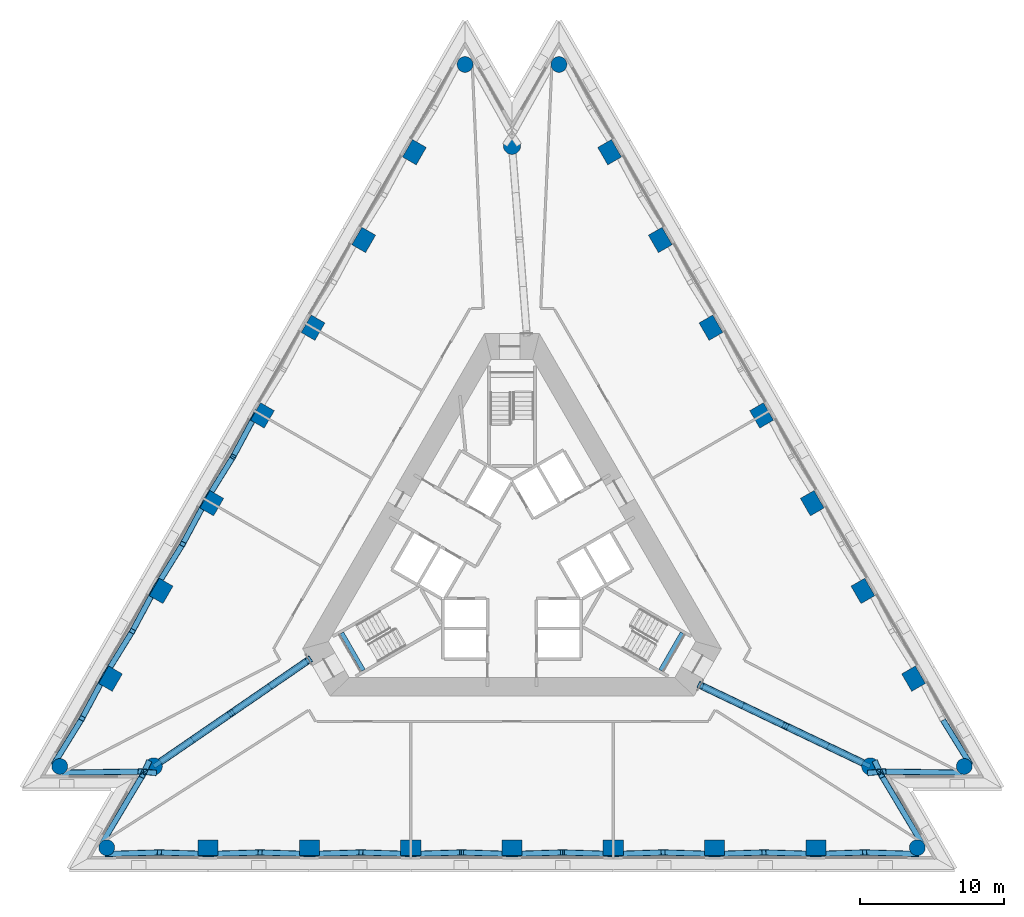
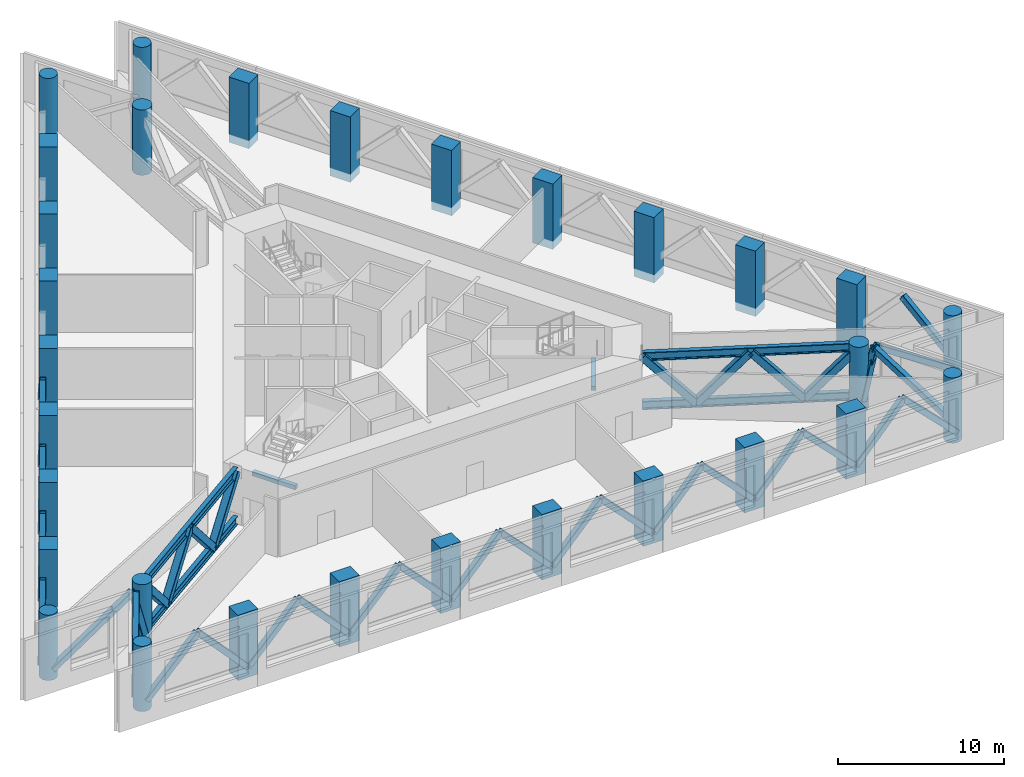
# One storey, part 1 of 12: 45 members, 30 columns, 2 beams.
"""IFC4 building model written with IfcOpenShell, lengths in metres."""

from ifc_helpers import new_model, si_unit, direction, frame, origin, origin_2d, place, context, subcontext, project, spatial, rectangle, hollow_rectangle, circle, i_section, extrude, material, material_profile, profile_set, type_object, element, save


model = new_model("IFC4")

# Units and contexts
model_context = context("Model", 3, precision=1e-05, world=origin(), true_north=direction((0.0, 1.0)))
body_context = subcontext(model_context, "Body", "Model", "MODEL_VIEW")
ifc_project = project(units=[si_unit("LENGTHUNIT", "METRE"), si_unit("AREAUNIT", "SQUARE_METRE"), si_unit("VOLUMEUNIT", "CUBIC_METRE"), si_unit("PLANEANGLEUNIT", "RADIAN"), si_unit("MASSUNIT", "GRAM", prefix="KILO")], contexts=[model_context])

# Site, building, storey
site_placement = place(None, origin())
site = spatial("IfcSite", under=ifc_project, at=site_placement, CompositionType="ELEMENT")
building_placement = place(site_placement, origin())
building = spatial("IfcBuilding", under=site, at=building_placement, Name="Triada Interchange Tower", CompositionType="ELEMENT")
storey_placement = place(building_placement, frame((0.0, 0.0, 99.800048828125)))
storey = spatial("IfcBuildingStorey", under=building, at=storey_placement, Name="L22", CompositionType="ELEMENT", Elevation=99.800048828125)

# Columns
ifc_material_1 = material(Name="Concrete C70/85", Category="concrete")
ifc_material_profile_1 = material_profile(ifc_material_1, rectangle(XDim=1.39990234375, YDim=1.10009765625, at=origin_2d()), Name="RC 1400x1100")
ifc_profile_set_1 = profile_set([ifc_material_profile_1], Name="Concrete C70/85")
column_type_1 = type_object("IfcColumnType", Name="Column A face RC 1400x1100", PredefinedType="COLUMN", material=ifc_profile_set_1)
for number, where, z_axis, x_axis, name in (
    (1, (-6.781982421875, 28.305908203125, -0.60009765625), (0.0, 0.0, 1.0), (0.5, 0.866025403784, 0.0), "Column CA02 L22"),
    (2, (-10.302978515625, 22.208984375, -0.60009765625), (0.0, 0.0, 1.0), (0.5, 0.866025403784, 0.0), "Column CA03 L22"),
    (3, (-13.822998046875, 16.111083984375, -0.60009765625), (0.0, 0.0, 1.0), (0.5, 0.866025403784, 0.0), "Column CA04 L22"),
    (4, (-17.343994140625, 10.013916015625, -0.60009765625), (0.0, 0.0, 1.0), (0.5, 0.866025403784, 0.0), "Column CA05 L22"),
    (5, (-20.864013671875, 3.916015625, -0.60009765625), (0.0, 0.0, 1.0), (0.5, 0.866025403784, 0.0), "Column CA06 L22"),
    (6, (-24.384033203125, -2.181884765625, -0.60009765625), (0.0, 0.0, 1.0), (0.5, 0.866025403784, 0.0), "Column CA07 L22"),
    (7, (-27.905029296875, -8.279052734375, -0.60009765625), (0.0, 0.0, 1.0), (0.5, 0.866025403784, 0.0), "Column CA08 L22"),
    (8, (-21.1220703125, -20.027099609375, -0.60009765625), (0.0, 0.0, 1.0), (1.0, 0.0, 0.0), "Column CA11 L22"),
    (9, (-14.08203125, -20.027099609375, -0.60009765625), (0.0, 0.0, 1.0), (1.0, 0.0, 0.0), "Column CA12 L22"),
    (10, (-7.041015625, -20.027099609375, -0.60009765625), (0.0, 0.0, 1.0), (1.0, 0.0, 0.0), "Column CA13 L22"),
    (11, (0.0, -20.027099609375, -0.60009765625), (0.0, 0.0, 1.0), (1.0, 0.0, 0.0), "Column CA14 L22"),
    (12, (7.041015625, -20.027099609375, -0.60009765625), (0.0, 0.0, 1.0), (1.0, 0.0, 0.0), "Column CA15 L22"),
    (13, (14.08203125, -20.027099609375, -0.60009765625), (0.0, 0.0, 1.0), (1.0, 0.0, 0.0), "Column CA16 L22"),
    (14, (21.1220703125, -20.027099609375, -0.60009765625), (0.0, 0.0, 1.0), (1.0, 0.0, 0.0), "Column CA17 L22"),
    (15, (27.905029296875, -8.279052734375, -0.60009765625), (0.0, 0.0, 1.0), (-0.5, 0.866025403784, 0.0), "Column CA20 L22"),
    (16, (24.384033203125, -2.181884765625, -0.60009765625), (0.0, 0.0, 1.0), (-0.5, 0.866025403784, 0.0), "Column CA21 L22"),
    (17, (20.864013671875, 3.916015625, -0.60009765625), (0.0, 0.0, 1.0), (-0.5, 0.866025403784, 0.0), "Column CA22 L22"),
    (18, (17.343994140625, 10.013916015625, -0.60009765625), (0.0, 0.0, 1.0), (-0.5, 0.866025403784, 0.0), "Column CA23 L22"),
    (19, (13.822998046875, 16.111083984375, -0.60009765625), (0.0, 0.0, 1.0), (-0.5, 0.866025403784, 0.0), "Column CA24 L22"),
    (20, (10.302978515625, 22.208984375, -0.60009765625), (0.0, 0.0, 1.0), (-0.5, 0.866025403784, 0.0), "Column CA25 L22"),
    (21, (6.781982421875, 28.305908203125, -0.60009765625), (0.0, 0.0, 1.0), (-0.5, 0.866025403784, 0.0), "Column CA26 L22"),
):
    element("IfcColumn", number, at=place(storey_placement, frame(where, z_axis=z_axis, x_axis=x_axis)), inside=storey, type_object=column_type_1, Name=name, PredefinedType="COLUMN", context=body_context, shape_type="SweptSolid", body=[
        extrude(rectangle(XDim=1.39990234375, YDim=1.10009765625, at=origin_2d()), origin(), (0.0, 0.0, 1.0), 4.800048828125),
    ])
ifc_material_profile_2 = material_profile(ifc_material_1, circle(Radius=0.550048828125, at=origin_2d()), Name="RC D1100")
ifc_profile_set_2 = profile_set([ifc_material_profile_2], Name="Concrete C70/85")
column_type_2 = type_object("IfcColumnType", Name="End column A RC D1100", PredefinedType="COLUMN", material=ifc_profile_set_2)
for number, where, z_axis, x_axis, name in (
    (22, (-3.261962890625, 34.404052734375, -0.60009765625), (0.0, 0.0, 1.0), (0.5, 0.866025403784, 0.0), "Column CA01 L22"),
    (23, (-31.425048828125, -14.376953125, -0.60009765625), (0.0, 0.0, 1.0), (0.5, 0.866025403784, 0.0), "Column CA09 L22"),
    (24, (-28.1630859375, -20.027099609375, -0.60009765625), (0.0, 0.0, 1.0), (1.0, 0.0, 0.0), "Column CA10 L22"),
    (25, (28.1630859375, -20.027099609375, -0.60009765625), (0.0, 0.0, 1.0), (1.0, 0.0, 0.0), "Column CA18 L22"),
    (26, (31.425048828125, -14.376953125, -0.60009765625), (0.0, 0.0, 1.0), (-0.5, 0.866025403784, 0.0), "Column CA19 L22"),
    (27, (3.261962890625, 34.404052734375, -0.60009765625), (0.0, 0.0, 1.0), (-0.5, 0.866025403784, 0.0), "Column CA27 L22"),
):
    element("IfcColumn", number, at=place(storey_placement, frame(where, z_axis=z_axis, x_axis=x_axis)), inside=storey, type_object=column_type_2, Name=name, PredefinedType="COLUMN", context=body_context, shape_type="SweptSolid", body=[
        extrude(circle(Radius=0.550048828125, at=origin_2d()), origin(), (0.0, 0.0, 1.0), 4.800048828125),
    ])
ifc_material_profile_3 = material_profile(ifc_material_1, circle(Radius=0.60009765625, at=origin_2d()), Name="RC D1200")
ifc_profile_set_3 = profile_set([ifc_material_profile_3], Name="Concrete C70/85")
column_type_3 = type_object("IfcColumnType", Name="Mega column A RC D1200", PredefinedType="COLUMN", material=ifc_profile_set_3)
for number, where, z_axis, x_axis, name in (
    (28, (0.0, 28.7529296875, -0.60009765625), (0.0, 0.0, 1.0), (1.0, 0.0, 0.0), "Column MA1 L22"),
    (29, (-24.90087890625, -14.376953125, -0.60009765625), (0.0, 0.0, 1.0), (1.0, 0.0, 0.0), "Column MA2 L22"),
    (30, (24.90087890625, -14.376953125, -0.60009765625), (0.0, 0.0, 1.0), (1.0, 0.0, 0.0), "Column MA3 L22"),
):
    element("IfcColumn", number, at=place(storey_placement, frame(where, z_axis=z_axis, x_axis=x_axis)), inside=storey, type_object=column_type_3, Name=name, PredefinedType="COLUMN", context=body_context, shape_type="SweptSolid", body=[
        extrude(circle(Radius=0.60009765625, at=origin_2d()), origin(), (0.0, 0.0, 1.0), 4.800048828125),
    ])

# Members
ifc_material_2 = material(Name="Steel S355", Category="steel")
ifc_material_profile_4 = material_profile(ifc_material_2, hollow_rectangle(XDim=0.39990234375, YDim=0.39990234375, WallThickness=0.02001953125, InnerFilletRadius=0.02001953125, OuterFilletRadius=0.030029296875, at=origin_2d()), Name="RHS 400x400x20")
ifc_profile_set_4 = profile_set([ifc_material_profile_4], Name="Steel S355")
member_type_1 = type_object("IfcMemberType", Name="Belt truss diagonal RHS 400x400x20", PredefinedType="BRACE", material=ifc_profile_set_4)
member_1_placement = place(storey_placement, frame((-17.72509765625, 10.23388671875, 0.14990234375), z_axis=(-0.327075106407, -0.610334308916, 0.721466496886), x_axis=(0.881413657606, -0.47234517483, 0.0)))
element("IfcMember", 31, at=member_1_placement, inside=storey, type_object=member_type_1, Name="Belt truss diagonal 009 L22", PredefinedType="BRACE", context=body_context, shape_type="SweptSolid", body=[
    extrude(hollow_rectangle(XDim=0.39990234375, YDim=0.39990234375, WallThickness=0.02001953125, InnerFilletRadius=0.02001953125, OuterFilletRadius=0.030029296875, at=origin_2d()), origin(), (0.0, 0.0, 1.0), 5.059326171875),
])
member_2_placement = place(storey_placement, frame((-21.2451171875, 4.135986328125, 0.14990234375), z_axis=(0.366771354965, 0.591874873739, 0.71774849844), x_axis=(-0.850025558814, 0.526741444508, 0.0)))
element("IfcMember", 32, at=member_2_placement, inside=storey, type_object=member_type_1, Name="Belt truss diagonal 010 L22", PredefinedType="BRACE", context=body_context, shape_type="SweptSolid", body=[
    extrude(hollow_rectangle(XDim=0.39990234375, YDim=0.39990234375, WallThickness=0.02001953125, InnerFilletRadius=0.02001953125, OuterFilletRadius=0.030029296875, at=origin_2d()), origin(), (0.0, 0.0, 1.0), 5.08544921875),
])
member_3_placement = place(storey_placement, frame((-21.2451171875, 4.135986328125, 0.14990234375), z_axis=(-0.325118609978, -0.606716641959, 0.725391484521), x_axis=(0.881424427581, -0.472325077107, 0.0)))
element("IfcMember", 33, at=member_3_placement, inside=storey, type_object=member_type_1, Name="Belt truss diagonal 011 L22", PredefinedType="BRACE", context=body_context, shape_type="SweptSolid", body=[
    extrude(hollow_rectangle(XDim=0.39990234375, YDim=0.39990234375, WallThickness=0.02001953125, InnerFilletRadius=0.02001953125, OuterFilletRadius=0.030029296875, at=origin_2d()), origin(), (0.0, 0.0, 1.0), 5.031982421875),
])
member_4_placement = place(storey_placement, frame((-24.764892578125, -1.9619140625, 0.14990234375), z_axis=(0.368424143371, 0.595513986019, 0.713881462875), x_axis=(-0.850410427795, 0.52611985735, 0.0)))
element("IfcMember", 34, at=member_4_placement, inside=storey, type_object=member_type_1, Name="Belt truss diagonal 012 L22", PredefinedType="BRACE", context=body_context, shape_type="SweptSolid", body=[
    extrude(hollow_rectangle(XDim=0.39990234375, YDim=0.39990234375, WallThickness=0.02001953125, InnerFilletRadius=0.02001953125, OuterFilletRadius=0.030029296875, at=origin_2d()), origin(), (0.0, 0.0, 1.0), 5.113037109375),
])
member_5_placement = place(storey_placement, frame((-24.764892578125, -1.9619140625, 0.14990234375), z_axis=(-0.323130093585, -0.603039585885, 0.729335451267), x_axis=(0.881435446521, -0.472304513651, 0.0)))
element("IfcMember", 35, at=member_5_placement, inside=storey, type_object=member_type_1, Name="Belt truss diagonal 013 L22", PredefinedType="BRACE", context=body_context, shape_type="SweptSolid", body=[
    extrude(hollow_rectangle(XDim=0.39990234375, YDim=0.39990234375, WallThickness=0.02001953125, InnerFilletRadius=0.02001953125, OuterFilletRadius=0.030029296875, at=origin_2d()), origin(), (0.0, 0.0, 1.0), 5.004638671875),
])
member_6_placement = place(storey_placement, frame((-28.285888671875, -8.05908203125, 0.14990234375), z_axis=(0.370325442517, 0.598941328677, 0.710019965513), x_axis=(-0.850549595877, 0.525894842106, 0.0)))
element("IfcMember", 36, at=member_6_placement, inside=storey, type_object=member_type_1, Name="Belt truss diagonal 014 L22", PredefinedType="BRACE", context=body_context, shape_type="SweptSolid", body=[
    extrude(hollow_rectangle(XDim=0.39990234375, YDim=0.39990234375, WallThickness=0.02001953125, InnerFilletRadius=0.02001953125, OuterFilletRadius=0.030029296875, at=origin_2d()), origin(), (0.0, 0.0, 1.0), 5.140869140625),
])
member_7_placement = place(storey_placement, frame((-28.285888671875, -8.05908203125, 0.14990234375), z_axis=(-0.320823047782, -0.59956933387, 0.733204736683), x_axis=(0.881709298467, -0.471793082821, 0.0)))
element("IfcMember", 37, at=member_7_placement, inside=storey, type_object=member_type_1, Name="Belt truss diagonal 015 L22", PredefinedType="BRACE", context=body_context, shape_type="SweptSolid", body=[
    extrude(hollow_rectangle(XDim=0.39990234375, YDim=0.39990234375, WallThickness=0.02001953125, InnerFilletRadius=0.02001953125, OuterFilletRadius=0.030029296875, at=origin_2d()), origin(), (0.0, 0.0, 1.0), 4.978271484375),
])
member_8_placement = place(storey_placement, frame((-31.805908203125, -14.156982421875, 0.14990234375), z_axis=(0.372043006756, 0.602326101974, 0.70624872956), x_axis=(-0.850786591139, 0.525511347487, 0.0)))
element("IfcMember", 38, at=member_8_placement, inside=storey, type_object=member_type_1, Name="Belt truss diagonal 016 L22", PredefinedType="BRACE", context=body_context, shape_type="SweptSolid", body=[
    extrude(hollow_rectangle(XDim=0.39990234375, YDim=0.39990234375, WallThickness=0.02001953125, InnerFilletRadius=0.02001953125, OuterFilletRadius=0.030029296875, at=origin_2d()), origin(), (0.0, 0.0, 1.0), 5.16845703125),
])
member_9_placement = place(storey_placement, frame((-31.425048828125, -14.81689453125, 0.14990234375), z_axis=(0.838668812945, 0.012054862649, 0.544508312591), x_axis=(-0.014372321172, 0.999896712858, 0.0)))
element("IfcMember", 39, at=member_9_placement, inside=storey, type_object=member_type_1, Name="Belt truss diagonal 017 L22", PredefinedType="BRACE", context=body_context, shape_type="SweptSolid", body=[
    extrude(hollow_rectangle(XDim=0.39990234375, YDim=0.39990234375, WallThickness=0.02001953125, InnerFilletRadius=0.02001953125, OuterFilletRadius=0.030029296875, at=origin_2d()), origin(), (0.0, 0.0, 1.0), 6.70361328125),
])
for number, where, z_axis, x_axis, name in (
    (40, (-24.90087890625, -14.81689453125, 0.14990234375), (-0.239866810813, 0.021487392254, 0.97056798064), (-0.089223236089, -0.996011653618, 0.0), "Belt truss diagonal 018 L22"),
    (41, (-25.281982421875, -14.156982421875, 0.14990234375), (-0.101595236849, -0.218316154328, 0.970575326602), (0.906637183647, -0.421911148501, 0.0), "Belt truss diagonal 019 L22"),
):
    element("IfcMember", number, at=place(storey_placement, frame(where, z_axis=z_axis, x_axis=x_axis)), inside=storey, type_object=member_type_1, Name=name, PredefinedType="BRACE", context=body_context, shape_type="SweptSolid", body=[
        extrude(hollow_rectangle(XDim=0.39990234375, YDim=0.39990234375, WallThickness=0.02001953125, InnerFilletRadius=0.02001953125, OuterFilletRadius=0.030029296875, at=origin_2d()), origin(), (0.0, 0.0, 1.0), 3.7607421875),
    ])
member_10_placement = place(storey_placement, frame((-28.5439453125, -19.806884765625, 0.14990234375), z_axis=(0.429617217088, 0.720362744726, 0.544524161808), x_axis=(-0.858857710617, 0.51221424513, 0.0)))
element("IfcMember", 42, at=member_10_placement, inside=storey, type_object=member_type_1, Name="Belt truss diagonal 020 L22", PredefinedType="BRACE", context=body_context, shape_type="SweptSolid", body=[
    extrude(hollow_rectangle(XDim=0.39990234375, YDim=0.39990234375, WallThickness=0.02001953125, InnerFilletRadius=0.02001953125, OuterFilletRadius=0.030029296875, at=origin_2d()), origin(), (0.0, 0.0, 1.0), 6.703369140625),
])
member_11_placement = place(storey_placement, frame((-28.1630859375, -20.467041015625, 0.14990234375), z_axis=(0.707607330743, 0.021305221054, 0.706284611919), x_axis=(-0.030095180846, 0.999547037457, 0.0)))
element("IfcMember", 43, at=member_11_placement, inside=storey, type_object=member_type_1, Name="Belt truss diagonal 021 L22", PredefinedType="BRACE", context=body_context, shape_type="SweptSolid", body=[
    extrude(hollow_rectangle(XDim=0.39990234375, YDim=0.39990234375, WallThickness=0.02001953125, InnerFilletRadius=0.02001953125, OuterFilletRadius=0.030029296875, at=origin_2d()), origin(), (0.0, 0.0, 1.0), 5.168212890625),
])
member_12_placement = place(storey_placement, frame((-21.1220703125, -20.467041015625, 0.14990234375), z_axis=(-0.679703268295, 0.02211573292, 0.733153709277), x_axis=(-0.032520125349, -0.999471080846, 0.0)))
element("IfcMember", 44, at=member_12_placement, inside=storey, type_object=member_type_1, Name="Belt truss diagonal 022 L22", PredefinedType="BRACE", context=body_context, shape_type="SweptSolid", body=[
    extrude(hollow_rectangle(XDim=0.39990234375, YDim=0.39990234375, WallThickness=0.02001953125, InnerFilletRadius=0.02001953125, OuterFilletRadius=0.030029296875, at=origin_2d()), origin(), (0.0, 0.0, 1.0), 4.978759765625),
])
member_13_placement = place(storey_placement, frame((-21.1220703125, -20.467041015625, 0.14990234375), z_axis=(0.703827014946, 0.021418757337, 0.710048427831), x_axis=(-0.030417767204, 0.999537272661, 0.0)))
element("IfcMember", 45, at=member_13_placement, inside=storey, type_object=member_type_1, Name="Belt truss diagonal 023 L22", PredefinedType="BRACE", context=body_context, shape_type="SweptSolid", body=[
    extrude(hollow_rectangle(XDim=0.39990234375, YDim=0.39990234375, WallThickness=0.02001953125, InnerFilletRadius=0.02001953125, OuterFilletRadius=0.030029296875, at=origin_2d()), origin(), (0.0, 0.0, 1.0), 5.140625),
])
member_14_placement = place(storey_placement, frame((-14.08203125, -20.467041015625, 0.14990234375), z_axis=(-0.68376096411, 0.022001726228, 0.729374298973), x_axis=(-0.032160866167, -0.999482705547, 0.0)))
element("IfcMember", 46, at=member_14_placement, inside=storey, type_object=member_type_1, Name="Belt truss diagonal 024 L22", PredefinedType="BRACE", context=body_context, shape_type="SweptSolid", body=[
    extrude(hollow_rectangle(XDim=0.39990234375, YDim=0.39990234375, WallThickness=0.02001953125, InnerFilletRadius=0.02001953125, OuterFilletRadius=0.030029296875, at=origin_2d()), origin(), (0.0, 0.0, 1.0), 5.00439453125),
])
member_15_placement = place(storey_placement, frame((-14.08203125, -20.467041015625, 0.14990234375), z_axis=(0.699961590673, 0.021533606916, 0.713855780502), x_axis=(-0.030749436088, 0.999527124284, 0.0)))
element("IfcMember", 47, at=member_15_placement, inside=storey, type_object=member_type_1, Name="Belt truss diagonal 025 L22", PredefinedType="BRACE", context=body_context, shape_type="SweptSolid", body=[
    extrude(hollow_rectangle(XDim=0.39990234375, YDim=0.39990234375, WallThickness=0.02001953125, InnerFilletRadius=0.02001953125, OuterFilletRadius=0.030029296875, at=origin_2d()), origin(), (0.0, 0.0, 1.0), 5.11328125),
])
member_16_placement = place(storey_placement, frame((-7.041015625, -20.467041015625, 0.14990234375), z_axis=(-0.687986290586, 0.021881651414, 0.725393725709), x_axis=(-0.031789285009, -0.999494592961, 0.0)))
element("IfcMember", 48, at=member_16_placement, inside=storey, type_object=member_type_1, Name="Belt truss diagonal 026 L22", PredefinedType="BRACE", context=body_context, shape_type="SweptSolid", body=[
    extrude(hollow_rectangle(XDim=0.39990234375, YDim=0.39990234375, WallThickness=0.02001953125, InnerFilletRadius=0.02001953125, OuterFilletRadius=0.030029296875, at=origin_2d()), origin(), (0.0, 0.0, 1.0), 5.031982421875),
])
member_17_placement = place(storey_placement, frame((-7.041015625, -20.467041015625, 0.14990234375), z_axis=(0.696033658284, 0.021649046889, 0.717682705173), x_axis=(-0.031088414064, 0.999516638436, 0.0)))
element("IfcMember", 49, at=member_17_placement, inside=storey, type_object=member_type_1, Name="Belt truss diagonal 027 L22", PredefinedType="BRACE", context=body_context, shape_type="SweptSolid", body=[
    extrude(hollow_rectangle(XDim=0.39990234375, YDim=0.39990234375, WallThickness=0.02001953125, InnerFilletRadius=0.02001953125, OuterFilletRadius=0.030029296875, at=origin_2d()), origin(), (0.0, 0.0, 1.0), 5.0859375),
])
for number, where, z_axis, x_axis, name in (
    (50, (0.0, -20.467041015625, 0.14990234375), (-0.692042224966, 0.021765065792, 0.72152882186), (-0.031434945313, -0.99950579999, 0.0), "Belt truss diagonal 028 L22"),
    (51, (0.0, -20.467041015625, 0.14990234375), (0.692042224966, 0.021765065792, 0.72152882186), (-0.031434945313, 0.99950579999, 0.0), "Belt truss diagonal 029 L22"),
):
    element("IfcMember", number, at=place(storey_placement, frame(where, z_axis=z_axis, x_axis=x_axis)), inside=storey, type_object=member_type_1, Name=name, PredefinedType="BRACE", context=body_context, shape_type="SweptSolid", body=[
        extrude(hollow_rectangle(XDim=0.39990234375, YDim=0.39990234375, WallThickness=0.02001953125, InnerFilletRadius=0.02001953125, OuterFilletRadius=0.030029296875, at=origin_2d()), origin(), (0.0, 0.0, 1.0), 5.058837890625),
    ])
member_18_placement = place(storey_placement, frame((7.041015625, -20.467041015625, 0.14990234375), z_axis=(-0.696033658284, 0.021649046889, 0.717682705173), x_axis=(-0.031088414064, -0.999516638436, 0.0)))
element("IfcMember", 52, at=member_18_placement, inside=storey, type_object=member_type_1, Name="Belt truss diagonal 030 L22", PredefinedType="BRACE", context=body_context, shape_type="SweptSolid", body=[
    extrude(hollow_rectangle(XDim=0.39990234375, YDim=0.39990234375, WallThickness=0.02001953125, InnerFilletRadius=0.02001953125, OuterFilletRadius=0.030029296875, at=origin_2d()), origin(), (0.0, 0.0, 1.0), 5.0859375),
])
member_19_placement = place(storey_placement, frame((7.041015625, -20.467041015625, 0.14990234375), z_axis=(0.687884057112, 0.021884573205, 0.725490585347), x_axis=(-0.031798245829, 0.999494307919, 0.0)))
element("IfcMember", 53, at=member_19_placement, inside=storey, type_object=member_type_1, Name="Belt truss diagonal 031 L22", PredefinedType="BRACE", context=body_context, shape_type="SweptSolid", body=[
    extrude(hollow_rectangle(XDim=0.39990234375, YDim=0.39990234375, WallThickness=0.02001953125, InnerFilletRadius=0.02001953125, OuterFilletRadius=0.030029296875, at=origin_2d()), origin(), (0.0, 0.0, 1.0), 5.03125),
])
member_20_placement = place(storey_placement, frame((14.08203125, -20.467041015625, 0.14990234375), z_axis=(-0.70005898398, 0.021530728435, 0.71376035662), x_axis=(-0.030741056281, -0.999527382046, 0.0)))
element("IfcMember", 54, at=member_20_placement, inside=storey, type_object=member_type_1, Name="Belt truss diagonal 032 L22", PredefinedType="BRACE", context=body_context, shape_type="SweptSolid", body=[
    extrude(hollow_rectangle(XDim=0.39990234375, YDim=0.39990234375, WallThickness=0.02001953125, InnerFilletRadius=0.02001953125, OuterFilletRadius=0.030029296875, at=origin_2d()), origin(), (0.0, 0.0, 1.0), 5.114013671875),
])
member_21_placement = place(storey_placement, frame((14.08203125, -20.467041015625, 0.14990234375), z_axis=(0.68376096411, 0.022001726228, 0.729374298973), x_axis=(-0.032160866167, 0.999482705547, 0.0)))
element("IfcMember", 55, at=member_21_placement, inside=storey, type_object=member_type_1, Name="Belt truss diagonal 033 L22", PredefinedType="BRACE", context=body_context, shape_type="SweptSolid", body=[
    extrude(hollow_rectangle(XDim=0.39990234375, YDim=0.39990234375, WallThickness=0.02001953125, InnerFilletRadius=0.02001953125, OuterFilletRadius=0.030029296875, at=origin_2d()), origin(), (0.0, 0.0, 1.0), 5.00439453125),
])
member_22_placement = place(storey_placement, frame((21.1220703125, -20.467041015625, 0.14990234375), z_axis=(-0.703827014946, 0.021418757337, 0.710048427831), x_axis=(-0.030417767204, -0.999537272661, 0.0)))
element("IfcMember", 56, at=member_22_placement, inside=storey, type_object=member_type_1, Name="Belt truss diagonal 034 L22", PredefinedType="BRACE", context=body_context, shape_type="SweptSolid", body=[
    extrude(hollow_rectangle(XDim=0.39990234375, YDim=0.39990234375, WallThickness=0.02001953125, InnerFilletRadius=0.02001953125, OuterFilletRadius=0.030029296875, at=origin_2d()), origin(), (0.0, 0.0, 1.0), 5.140625),
])
member_23_placement = place(storey_placement, frame((21.1220703125, -20.467041015625, 0.14990234375), z_axis=(0.679703268295, 0.02211573292, 0.733153709277), x_axis=(-0.032520125349, 0.999471080846, 0.0)))
element("IfcMember", 57, at=member_23_placement, inside=storey, type_object=member_type_1, Name="Belt truss diagonal 035 L22", PredefinedType="BRACE", context=body_context, shape_type="SweptSolid", body=[
    extrude(hollow_rectangle(XDim=0.39990234375, YDim=0.39990234375, WallThickness=0.02001953125, InnerFilletRadius=0.02001953125, OuterFilletRadius=0.030029296875, at=origin_2d()), origin(), (0.0, 0.0, 1.0), 4.978759765625),
])
member_24_placement = place(storey_placement, frame((28.1630859375, -20.467041015625, 0.14990234375), z_axis=(-0.707607330743, 0.021305221054, 0.706284611919), x_axis=(-0.030095180846, -0.999547037457, 0.0)))
element("IfcMember", 58, at=member_24_placement, inside=storey, type_object=member_type_1, Name="Belt truss diagonal 036 L22", PredefinedType="BRACE", context=body_context, shape_type="SweptSolid", body=[
    extrude(hollow_rectangle(XDim=0.39990234375, YDim=0.39990234375, WallThickness=0.02001953125, InnerFilletRadius=0.02001953125, OuterFilletRadius=0.030029296875, at=origin_2d()), origin(), (0.0, 0.0, 1.0), 5.168212890625),
])
member_25_placement = place(storey_placement, frame((28.5439453125, -19.806884765625, 0.14990234375), z_axis=(-0.429617217088, 0.720362744726, 0.544524161808), x_axis=(-0.858857710617, -0.51221424513, 0.0)))
element("IfcMember", 59, at=member_25_placement, inside=storey, type_object=member_type_1, Name="Belt truss diagonal 037 L22", PredefinedType="BRACE", context=body_context, shape_type="SweptSolid", body=[
    extrude(hollow_rectangle(XDim=0.39990234375, YDim=0.39990234375, WallThickness=0.02001953125, InnerFilletRadius=0.02001953125, OuterFilletRadius=0.030029296875, at=origin_2d()), origin(), (0.0, 0.0, 1.0), 6.703369140625),
])
for number, where, z_axis, x_axis, name in (
    (60, (25.281982421875, -14.156982421875, 0.14990234375), (0.101595236849, -0.218316154328, 0.970575326602), (0.906637183647, 0.421911148501, 0.0), "Belt truss diagonal 038 L22"),
    (61, (24.90087890625, -14.81689453125, 0.14990234375), (0.239866810813, 0.021487392254, 0.97056798064), (-0.089223236089, 0.996011653618, 0.0), "Belt truss diagonal 039 L22"),
):
    element("IfcMember", number, at=place(storey_placement, frame(where, z_axis=z_axis, x_axis=x_axis)), inside=storey, type_object=member_type_1, Name=name, PredefinedType="BRACE", context=body_context, shape_type="SweptSolid", body=[
        extrude(hollow_rectangle(XDim=0.39990234375, YDim=0.39990234375, WallThickness=0.02001953125, InnerFilletRadius=0.02001953125, OuterFilletRadius=0.030029296875, at=origin_2d()), origin(), (0.0, 0.0, 1.0), 3.7607421875),
    ])
member_26_placement = place(storey_placement, frame((31.425048828125, -14.81689453125, 0.14990234375), z_axis=(-0.838668812945, 0.012054862649, 0.544508312591), x_axis=(-0.014372321172, -0.999896712858, 0.0)))
element("IfcMember", 62, at=member_26_placement, inside=storey, type_object=member_type_1, Name="Belt truss diagonal 040 L22", PredefinedType="BRACE", context=body_context, shape_type="SweptSolid", body=[
    extrude(hollow_rectangle(XDim=0.39990234375, YDim=0.39990234375, WallThickness=0.02001953125, InnerFilletRadius=0.02001953125, OuterFilletRadius=0.030029296875, at=origin_2d()), origin(), (0.0, 0.0, 1.0), 6.70361328125),
])
member_27_placement = place(storey_placement, frame((31.805908203125, -14.156982421875, 0.14990234375), z_axis=(-0.372043006756, 0.602326101974, 0.70624872956), x_axis=(-0.850786591139, -0.525511347487, 0.0)))
element("IfcMember", 63, at=member_27_placement, inside=storey, type_object=member_type_1, Name="Belt truss diagonal 041 L22", PredefinedType="BRACE", context=body_context, shape_type="SweptSolid", body=[
    extrude(hollow_rectangle(XDim=0.39990234375, YDim=0.39990234375, WallThickness=0.02001953125, InnerFilletRadius=0.02001953125, OuterFilletRadius=0.030029296875, at=origin_2d()), origin(), (0.0, 0.0, 1.0), 5.16845703125),
])

# Beams
ifc_material_3 = material(Name="Concrete C35/45", Category="concrete")
ifc_material_profile_5 = material_profile(ifc_material_3, rectangle(XDim=0.300048828125, YDim=0.300048828125, at=origin_2d()), Name="RC 300x300")
ifc_profile_set_5 = profile_set([ifc_material_profile_5], Name="Concrete C35/45")
beam_type = type_object("IfcBeamType", Name="Landing support beam RC 300x300", PredefinedType="BEAM", material=ifc_profile_set_5)
for number, where, z_axis, x_axis, name in (
    (64, (-11.8349609375, -5.10107421875, 1.822265625), (0.50002537861, -0.866010750942, 0.0), (0.866010750942, 0.50002537861, 0.0), "Landing support beam S22-2 1"),
    (65, (10.3349609375, -7.698974609375, 1.822265625), (0.50002537861, 0.866010750942, 0.0), (-0.866010750942, 0.50002537861, 0.0), "Landing support beam S22-3 1"),
):
    element("IfcBeam", number, at=place(storey_placement, frame(where, z_axis=z_axis, x_axis=x_axis)), inside=storey, type_object=beam_type, Name=name, PredefinedType="BEAM", context=body_context, shape_type="SweptSolid", body=[
        extrude(rectangle(XDim=0.300048828125, YDim=0.300048828125, at=origin_2d()), origin(), (0.0, 0.0, 1.0), 2.999755859375),
    ])

# Members
ifc_material_4 = material(Name="Steel S460M", Category="steel")
ifc_material_profile_6 = material_profile(ifc_material_4, i_section(OverallWidth=0.304931640625, OverallDepth=0.6201171875, WebThickness=0.02099609375, FlangeThickness=0.0400390625, FilletRadius=0.027099609375, at=origin_2d()), Name="HEM 600")
ifc_profile_set_6 = profile_set([ifc_material_profile_6], Name="Steel S460M")
member_type_2 = type_object("IfcMemberType", Name="Outrigger chord HEM 600", PredefinedType="CHORD", material=ifc_profile_set_6)
for number, where, z_axis, x_axis, name in (
    (66, (-14.1220703125, -6.97509765625, 0.31005859375), (-0.824347977303, -0.566083396962, 0.0), (0.566083396962, -0.824347977303, 0.0), "Outrigger bottom chord SW L22"),
    (67, (-14.1220703125, -6.97509765625, 3.889892578125), (-0.824347977303, -0.566083396962, 0.0), (0.566083396962, -0.824347977303, 0.0), "Outrigger top chord SW L22"),
):
    element("IfcMember", number, at=place(storey_placement, frame(where, z_axis=z_axis, x_axis=x_axis)), inside=storey, type_object=member_type_2, Name=name, PredefinedType="CHORD", context=body_context, shape_type="SweptSolid", body=[
        extrude(i_section(OverallWidth=0.304931640625, OverallDepth=0.6201171875, WebThickness=0.02099609375, FlangeThickness=0.0400390625, FilletRadius=0.027099609375, at=origin_2d()), origin(), (0.0, 0.0, 1.0), 13.075439453125),
    ])
for number, where, z_axis, x_axis, name in (
    (68, (13.10205078125, -8.742919921875, 0.31005859375), (0.902398539143, -0.430902397943, 0.0), (0.430902397943, 0.902398539143, 0.0), "Outrigger bottom chord SE L22"),
    (69, (13.10205078125, -8.742919921875, 3.889892578125), (0.902398539143, -0.430902397943, 0.0), (0.430902397943, 0.902398539143, 0.0), "Outrigger top chord SE L22"),
):
    element("IfcMember", number, at=place(storey_placement, frame(where, z_axis=z_axis, x_axis=x_axis)), inside=storey, type_object=member_type_2, Name=name, PredefinedType="CHORD", context=body_context, shape_type="SweptSolid", body=[
        extrude(i_section(OverallWidth=0.304931640625, OverallDepth=0.6201171875, WebThickness=0.02099609375, FlangeThickness=0.0400390625, FilletRadius=0.027099609375, at=origin_2d()), origin(), (0.0, 0.0, 1.0), 13.074951171875),
    ])
ifc_material_profile_7 = material_profile(ifc_material_2, hollow_rectangle(XDim=0.5, YDim=0.5, WallThickness=0.02490234375, InnerFilletRadius=0.02490234375, OuterFilletRadius=0.03759765625, at=origin_2d()), Name="RHS 500x500x25")
ifc_profile_set_7 = profile_set([ifc_material_profile_7], Name="Steel S355")
member_type_3 = type_object("IfcMemberType", Name="Outrigger diagonal RHS 500x500x25", PredefinedType="BRACE", material=ifc_profile_set_7)
for number, where, z_axis, x_axis, name in (
    (70, (-14.1220703125, -6.97509765625, 3.889892578125), (-0.555865956137, -0.38177385518, -0.738418419536), (0.566142093248, -0.824307667229, 0.0), "Outrigger diagonal SW 1 L22"),
    (71, (-16.81689453125, -8.825927734375, 0.31005859375), (-0.55593281126, -0.381634101253, 0.738440330782), (0.565954986056, -0.824436142923, 0.0), "Outrigger diagonal SW 2 L22"),
):
    element("IfcMember", number, at=place(storey_placement, frame(where, z_axis=z_axis, x_axis=x_axis)), inside=storey, type_object=member_type_3, Name=name, PredefinedType="BRACE", context=body_context, shape_type="SweptSolid", body=[
        extrude(hollow_rectangle(XDim=0.5, YDim=0.5, WallThickness=0.02490234375, InnerFilletRadius=0.02490234375, OuterFilletRadius=0.03759765625, at=origin_2d()), origin(), (0.0, 0.0, 1.0), 4.847900390625),
    ])
for number, where, z_axis, x_axis, name in (
    (72, (-19.511962890625, -10.676025390625, 3.889892578125), (-0.555750858999, -0.381848936378, -0.738466229769), (0.566297401122, -0.824200978816, 0.0), "Outrigger diagonal SW 3 L22"),
    (73, (-22.2060546875, -12.527099609375, 0.31005859375), (-0.555908697802, -0.381601757859, 0.738475198031), (0.565939069057, -0.824447069322, 0.0), "Outrigger diagonal SW 4 L22"),
    (74, (13.10205078125, -8.742919921875, 3.889892578125), (0.60853141778, -0.290441172419, -0.738466951826), (0.430736499022, 0.902477738457, 0.0), "Outrigger diagonal SE 1 L22"),
):
    element("IfcMember", number, at=place(storey_placement, frame(where, z_axis=z_axis, x_axis=x_axis)), inside=storey, type_object=member_type_3, Name=name, PredefinedType="BRACE", context=body_context, shape_type="SweptSolid", body=[
        extrude(hollow_rectangle(XDim=0.5, YDim=0.5, WallThickness=0.02490234375, InnerFilletRadius=0.02490234375, OuterFilletRadius=0.03759765625, at=origin_2d()), origin(), (0.0, 0.0, 1.0), 4.84765625),
    ])
member_28_placement = place(storey_placement, frame((16.052001953125, -10.15087890625, 0.31005859375), z_axis=(0.608360021097, -0.290707346781, 0.738503434832), x_axis=(0.431156796619, 0.902277017733, 0.0)))
element("IfcMember", 75, at=member_28_placement, inside=storey, type_object=member_type_3, Name="Outrigger diagonal SE 2 L22", PredefinedType="BRACE", context=body_context, shape_type="SweptSolid", body=[
    extrude(hollow_rectangle(XDim=0.5, YDim=0.5, WallThickness=0.02490234375, InnerFilletRadius=0.02490234375, OuterFilletRadius=0.03759765625, at=origin_2d()), origin(), (0.0, 0.0, 1.0), 4.847412109375),
])
member_29_placement = place(storey_placement, frame((19.0009765625, -11.56005859375, 3.889892578125), z_axis=(0.60853141778, -0.290441172419, -0.738466951826), x_axis=(0.430736499022, 0.902477738457, 0.0)))
element("IfcMember", 76, at=member_29_placement, inside=storey, type_object=member_type_3, Name="Outrigger diagonal SE 3 L22", PredefinedType="BRACE", context=body_context, shape_type="SweptSolid", body=[
    extrude(hollow_rectangle(XDim=0.5, YDim=0.5, WallThickness=0.02490234375, InnerFilletRadius=0.02490234375, OuterFilletRadius=0.03759765625, at=origin_2d()), origin(), (0.0, 0.0, 1.0), 4.84765625),
])
member_30_placement = place(storey_placement, frame((21.950927734375, -12.968017578125, 0.31005859375), z_axis=(0.608495803689, -0.2906256131, 0.738423733302), x_axis=(0.430979781521, 0.902361583801, 0.0)))
element("IfcMember", 77, at=member_30_placement, inside=storey, type_object=member_type_3, Name="Outrigger diagonal SE 4 L22", PredefinedType="BRACE", context=body_context, shape_type="SweptSolid", body=[
    extrude(hollow_rectangle(XDim=0.5, YDim=0.5, WallThickness=0.02490234375, InnerFilletRadius=0.02490234375, OuterFilletRadius=0.03759765625, at=origin_2d()), origin(), (0.0, 0.0, 1.0), 4.847900390625),
])

save(model, "model.ifc")
